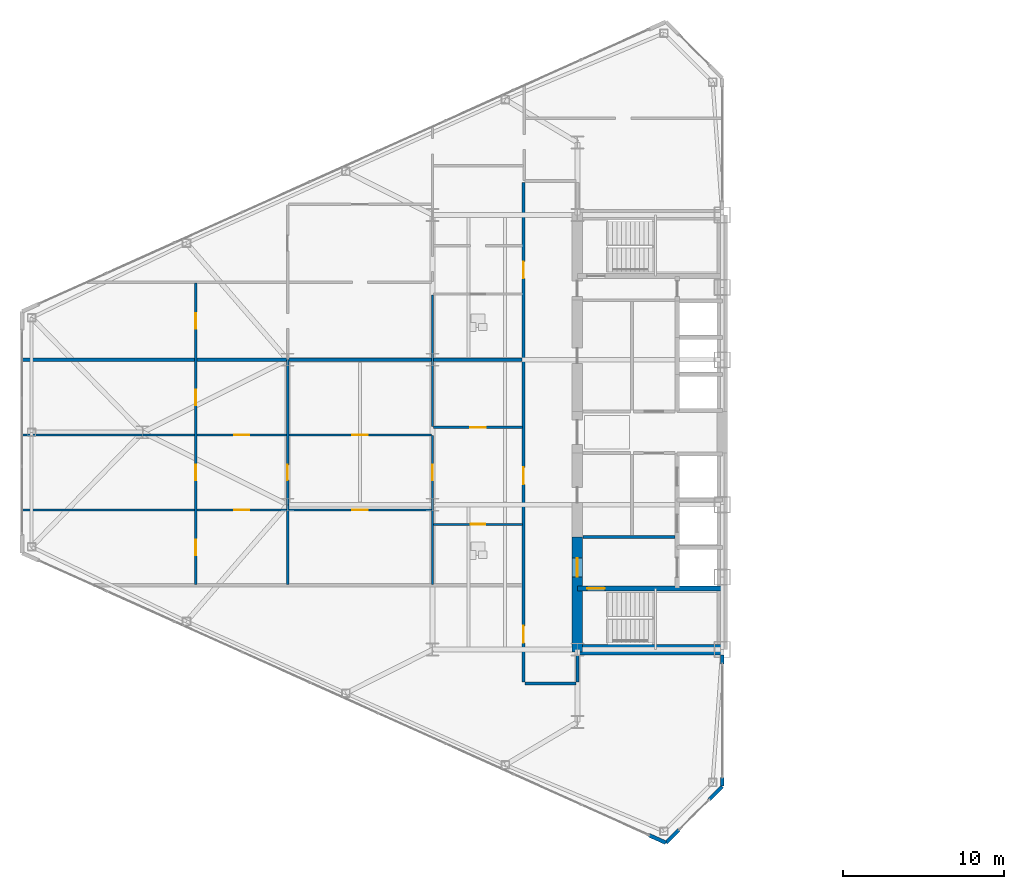
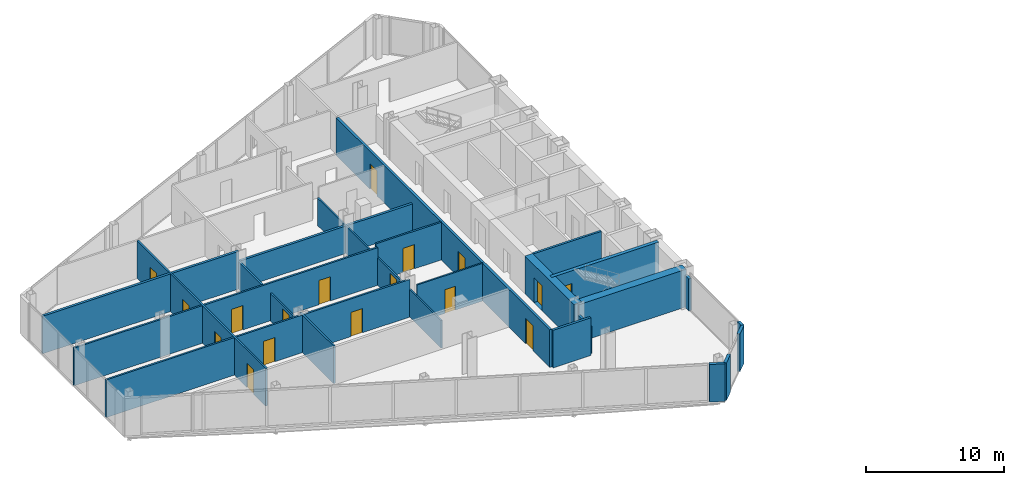
# One storey, part 19 of 27: 23 walls, 17 doors, 17 openings.
"""IFC4 building model written with IfcOpenShell, lengths in metres."""

from ifc_helpers import new_model, si_unit, direction, frame, frame_2d, origin, place, context, subcontext, project, spatial, rectangle, extrude, source, transform, mapped, material, layer, layer_set, type_object, type_shapes, element, fill, save


model = new_model("IFC4")

# Units and contexts
model_context = context("Model", 3, precision=1e-05, world=origin(), true_north=direction((0.0, 1.0)))
body_context = subcontext(model_context, "Body", "Model", "MODEL_VIEW")
ifc_project = project(units=[si_unit("LENGTHUNIT", "METRE"), si_unit("AREAUNIT", "SQUARE_METRE"), si_unit("VOLUMEUNIT", "CUBIC_METRE"), si_unit("PLANEANGLEUNIT", "RADIAN"), si_unit("MASSUNIT", "GRAM", prefix="KILO")], contexts=[model_context])

# Site, building, storey
site_placement = place(None, origin())
site = spatial("IfcSite", under=ifc_project, at=site_placement, CompositionType="ELEMENT")
building_placement = place(site_placement, origin())
building = spatial("IfcBuilding", under=site, at=building_placement, Name="Seokmaru Belvedere", CompositionType="ELEMENT")
storey_placement = place(building_placement, frame((0.0, 0.0, 83.699951171875)))
storey = spatial("IfcBuildingStorey", under=building, at=storey_placement, Name="L22", CompositionType="ELEMENT", Elevation=83.699951171875)

# Wall, openings, doors
ifc_material_1 = material(Name="Fire-Rated Gypsum Shaftwall")
ifc_layer_1 = layer(ifc_material_1, 0.14990234375)
ifc_layer_set_1 = layer_set([ifc_layer_1], Name="Fire-Rated Gypsum Shaftwall")
wall_type_1 = type_object("IfcWallType", Name="Apartment Fire-Acoustic Room Partition 150", PredefinedType="PARTITIONING", material=ifc_layer_set_1)
wall_1_placement = place(storey_placement, frame((-71.034912109375, -4.830078125, 0.0), z_axis=(0.0, 0.0, 1.0), x_axis=(1.0, 0.0, 0.0)))
wall_1 = element("IfcWall", 1, at=wall_1_placement, inside=storey, type_object=wall_type_1, Name="L22 Interior Partition 012", PredefinedType="PARTITIONING", context=body_context, shape_type="SweptSolid", body=[
    extrude(rectangle(XDim=25.48486328125, YDim=0.14990234375, at=frame_2d((12.742431640625, 0.0))), origin(), (0.0, 0.0, 1.0), 3.340087890625),
])
opening_1_placement = place(wall_1_placement, frame((20.56005859375, 0.0, 0.0)))
opening_1 = element("IfcOpeningElement", 2, at=opening_1_placement, cuts=wall_1, Name="Opening D05", PredefinedType="OPENING", context=body_context, shape_type="SweptSolid", body=[
    extrude(rectangle(XDim=0.949951171875, YDim=2.14990234375, at=frame_2d((0.47509765625, 1.074951171875))), frame((0.0, 0.0849609375, 0.0), z_axis=(0.0, -1.0, 0.0), x_axis=(1.0, 0.0, 0.0)), (0.0, 0.0, 1.0), 0.169921875),
])
opening_2_placement = place(wall_1_placement, frame((13.2099609375, 0.0, 0.0)))
opening_2 = element("IfcOpeningElement", 3, at=opening_2_placement, cuts=wall_1, Name="Opening D05", PredefinedType="OPENING", context=body_context, shape_type="SweptSolid", body=[
    extrude(rectangle(XDim=0.949951171875, YDim=2.14990234375, at=frame_2d((0.47509765625, 1.074951171875))), frame((0.0, 0.0849609375, 0.0), z_axis=(0.0, -1.0, 0.0), x_axis=(1.0, 0.0, 0.0)), (0.0, 0.0, 1.0), 0.169921875),
])
ifc_material_2 = material(Name="Engineered White Oak Timber", Category="wood")
door_type_1 = type_object("IfcDoorType", Name="Apartment Interior Fire-Rated Oak Door 950x2150", OperationType="NOTDEFINED", PredefinedType="DOOR", material=ifc_material_2)
shared_shape_1 = source(origin(), body_context, "Body", "SweptSolid", [
    extrude(rectangle(XDim=0.949951171875, YDim=2.14990234375, at=frame_2d((0.47509765625, 1.074951171875))), frame((0.0, 0.02490234375, 0.0), z_axis=(0.0, -1.0, 0.0), x_axis=(1.0, 0.0, 0.0)), (0.0, 0.0, 1.0), 0.050048828125),
])
type_shapes(door_type_1, [shared_shape_1])
door_1_placement = place(opening_1_placement, origin())
door_1 = element("IfcDoor", 4, at=door_1_placement, inside=storey, type_object=door_type_1, Name="L22 Interior Door 007", OperationType="SINGLE_SWING_RIGHT", OverallHeight=2.14990234375, OverallWidth=0.949951171875, PredefinedType="DOOR", context=body_context, shape_type="MappedRepresentation", body=[
    mapped(shared_shape_1, transform((0.0, 0.0, 0.0), scale=1.0)),
])
fill(opening_1, door_1)
door_2_placement = place(opening_2_placement, origin())
door_2 = element("IfcDoor", 5, at=door_2_placement, inside=storey, type_object=door_type_1, Name="L22 Interior Door 009", OperationType="SINGLE_SWING_LEFT", OverallHeight=2.14990234375, OverallWidth=0.949951171875, PredefinedType="DOOR", context=body_context, shape_type="MappedRepresentation", body=[
    mapped(shared_shape_1, transform((0.0, 0.0, 0.0), scale=1.0)),
])
fill(opening_2, door_2)

wall_2_placement = place(storey_placement, frame((-71.034912109375, -0.169921875, 0.0), z_axis=(0.0, 0.0, 1.0), x_axis=(1.0, 0.0, 0.0)))
wall_2 = element("IfcWall", 6, at=wall_2_placement, inside=storey, type_object=wall_type_1, Name="L22 Interior Partition 015", PredefinedType="PARTITIONING", context=body_context, shape_type="SweptSolid", body=[
    extrude(rectangle(XDim=25.48486328125, YDim=0.14990234375, at=frame_2d((12.742431640625, 0.0))), origin(), (0.0, 0.0, 1.0), 3.340087890625),
])
opening_3_placement = place(wall_2_placement, frame((20.56005859375, 0.0, 0.0)))
opening_3 = element("IfcOpeningElement", 7, at=opening_3_placement, cuts=wall_2, Name="Opening D05", PredefinedType="OPENING", context=body_context, shape_type="SweptSolid", body=[
    extrude(rectangle(XDim=0.949951171875, YDim=2.14990234375, at=frame_2d((0.47509765625, 1.074951171875))), frame((0.0, 0.0849609375, 0.0), z_axis=(0.0, -1.0, 0.0), x_axis=(1.0, 0.0, 0.0)), (0.0, 0.0, 1.0), 0.169921875),
])
opening_4_placement = place(wall_2_placement, frame((13.2099609375, 0.0, 0.0)))
opening_4 = element("IfcOpeningElement", 8, at=opening_4_placement, cuts=wall_2, Name="Opening D05", PredefinedType="OPENING", context=body_context, shape_type="SweptSolid", body=[
    extrude(rectangle(XDim=0.949951171875, YDim=2.14990234375, at=frame_2d((0.47509765625, 1.074951171875))), frame((0.0, 0.0849609375, 0.0), z_axis=(0.0, -1.0, 0.0), x_axis=(1.0, 0.0, 0.0)), (0.0, 0.0, 1.0), 0.169921875),
])
door_3_placement = place(opening_3_placement, origin())
door_3 = element("IfcDoor", 9, at=door_3_placement, inside=storey, type_object=door_type_1, Name="L22 Interior Door 008", OperationType="SINGLE_SWING_LEFT", OverallHeight=2.14990234375, OverallWidth=0.949951171875, PredefinedType="DOOR", context=body_context, shape_type="MappedRepresentation", body=[
    mapped(shared_shape_1, transform((0.0, 0.0, 0.0), scale=1.0)),
])
fill(opening_3, door_3)
door_4_placement = place(opening_4_placement, origin())
door_4 = element("IfcDoor", 10, at=door_4_placement, inside=storey, type_object=door_type_1, Name="L22 Interior Door 012", OperationType="SINGLE_SWING_LEFT", OverallHeight=2.14990234375, OverallWidth=0.949951171875, PredefinedType="DOOR", context=body_context, shape_type="MappedRepresentation", body=[
    mapped(shared_shape_1, transform((0.0, 0.0, 0.0), scale=1.0)),
])
fill(opening_4, door_4)

# Wall, opening, door
wall_3_placement = place(storey_placement, frame((-45.449951171875, 0.300048828125, 0.0), z_axis=(0.0, 0.0, 1.0), x_axis=(1.0, 0.0, 0.0)))
wall_3 = element("IfcWall", 11, at=wall_3_placement, inside=storey, type_object=wall_type_1, Name="L22 Interior Partition 017", PredefinedType="PARTITIONING", context=body_context, shape_type="SweptSolid", body=[
    extrude(rectangle(XDim=5.550048828125, YDim=0.14990234375, at=frame_2d((2.77490234375, 0.0))), origin(), (0.0, 0.0, 1.0), 3.340087890625),
])
opening_5_placement = place(wall_3_placement, frame((2.300048828125, 0.0, 0.0)))
opening_5 = element("IfcOpeningElement", 12, at=opening_5_placement, cuts=wall_3, Name="Opening D05", PredefinedType="OPENING", context=body_context, shape_type="SweptSolid", body=[
    extrude(rectangle(XDim=0.949951171875, YDim=2.14990234375, at=frame_2d((0.47509765625, 1.074951171875))), frame((0.0, 0.0849609375, 0.0), z_axis=(0.0, -1.0, 0.0), x_axis=(1.0, 0.0, 0.0)), (0.0, 0.0, 1.0), 0.169921875),
])
door_5_placement = place(opening_5_placement, origin())
door_5 = element("IfcDoor", 13, at=door_5_placement, inside=storey, type_object=door_type_1, Name="L22 Interior Door 004", OperationType="SINGLE_SWING_LEFT", OverallHeight=2.14990234375, OverallWidth=0.949951171875, PredefinedType="DOOR", context=body_context, shape_type="MappedRepresentation", body=[
    mapped(shared_shape_1, transform((0.0, 0.0, 0.0), scale=1.0)),
])
fill(opening_5, door_5)

# Wall, openings, doors
wall_4_placement = place(storey_placement, frame((-60.199951171875, -9.449951171875, 0.0), z_axis=(0.0, 0.0, 1.0), x_axis=(0.0, 1.0, 0.0)))
wall_4 = element("IfcWall", 14, at=wall_4_placement, inside=storey, type_object=wall_type_1, Name="L22 Interior Partition 036", PredefinedType="PARTITIONING", context=body_context, shape_type="SweptSolid", body=[
    extrude(rectangle(XDim=18.724853515625, YDim=0.14990234375, at=frame_2d((9.3623046875, 0.0))), origin(), (0.0, 0.0, 1.0), 3.340087890625),
])
opening_6_placement = place(wall_4_placement, frame((1.808349609375, 0.0, 0.0)))
opening_6 = element("IfcOpeningElement", 15, at=opening_6_placement, cuts=wall_4, Name="Opening D05", PredefinedType="OPENING", context=body_context, shape_type="SweptSolid", body=[
    extrude(rectangle(XDim=0.949951171875, YDim=2.14990234375, at=frame_2d((0.47509765625, 1.074951171875))), frame((0.0, 0.0849609375, 0.0), z_axis=(0.0, -1.0, 0.0), x_axis=(1.0, 0.0, 0.0)), (0.0, 0.0, 1.0), 0.169921875),
])
opening_7_placement = place(wall_4_placement, frame((6.47509765625, 0.0, 0.0)))
opening_7 = element("IfcOpeningElement", 16, at=opening_7_placement, cuts=wall_4, Name="Opening D05", PredefinedType="OPENING", context=body_context, shape_type="SweptSolid", body=[
    extrude(rectangle(XDim=0.949951171875, YDim=2.14990234375, at=frame_2d((0.47509765625, 1.074951171875))), frame((0.0, 0.0849609375, 0.0), z_axis=(0.0, -1.0, 0.0), x_axis=(1.0, 0.0, 0.0)), (0.0, 0.0, 1.0), 0.169921875),
])
opening_8_placement = place(wall_4_placement, frame((11.1416015625, 0.0, 0.0)))
opening_8 = element("IfcOpeningElement", 17, at=opening_8_placement, cuts=wall_4, Name="Opening D05", PredefinedType="OPENING", context=body_context, shape_type="SweptSolid", body=[
    extrude(rectangle(XDim=0.949951171875, YDim=2.14990234375, at=frame_2d((0.47509765625, 1.074951171875))), frame((0.0, 0.0849609375, 0.0), z_axis=(0.0, -1.0, 0.0), x_axis=(1.0, 0.0, 0.0)), (0.0, 0.0, 1.0), 0.169921875),
])
opening_9_placement = place(wall_4_placement, frame((15.887451171875, 0.0, 0.0)))
opening_9 = element("IfcOpeningElement", 18, at=opening_9_placement, cuts=wall_4, Name="Opening D05", PredefinedType="OPENING", context=body_context, shape_type="SweptSolid", body=[
    extrude(rectangle(XDim=0.949951171875, YDim=2.14990234375, at=frame_2d((0.47509765625, 1.074951171875))), frame((0.0, 0.0849609375, 0.0), z_axis=(0.0, -1.0, 0.0), x_axis=(1.0, 0.0, 0.0)), (0.0, 0.0, 1.0), 0.169921875),
])
door_6_placement = place(opening_6_placement, origin())
door_6 = element("IfcDoor", 19, at=door_6_placement, inside=storey, type_object=door_type_1, Name="L22 Interior Door 010", OperationType="SINGLE_SWING_RIGHT", OverallHeight=2.14990234375, OverallWidth=0.949951171875, PredefinedType="DOOR", context=body_context, shape_type="MappedRepresentation", body=[
    mapped(shared_shape_1, transform((0.0, 0.0, 0.0), scale=1.0)),
])
fill(opening_6, door_6)
door_7_placement = place(opening_7_placement, origin())
door_7 = element("IfcDoor", 20, at=door_7_placement, inside=storey, type_object=door_type_1, Name="L22 Interior Door 011", OperationType="SINGLE_SWING_RIGHT", OverallHeight=2.14990234375, OverallWidth=0.949951171875, PredefinedType="DOOR", context=body_context, shape_type="MappedRepresentation", body=[
    mapped(shared_shape_1, transform((0.0, 0.0, 0.0), scale=1.0)),
])
fill(opening_7, door_7)
door_8_placement = place(opening_8_placement, origin())
door_8 = element("IfcDoor", 21, at=door_8_placement, inside=storey, type_object=door_type_1, Name="L22 Interior Door 013", OperationType="SINGLE_SWING_RIGHT", OverallHeight=2.14990234375, OverallWidth=0.949951171875, PredefinedType="DOOR", context=body_context, shape_type="MappedRepresentation", body=[
    mapped(shared_shape_1, transform((0.0, 0.0, 0.0), scale=1.0)),
])
fill(opening_8, door_8)
door_9_placement = place(opening_9_placement, origin())
door_9 = element("IfcDoor", 22, at=door_9_placement, inside=storey, type_object=door_type_1, Name="L22 Interior Door 022", OperationType="SINGLE_SWING_RIGHT", OverallHeight=2.14990234375, OverallWidth=0.949951171875, PredefinedType="DOOR", context=body_context, shape_type="MappedRepresentation", body=[
    mapped(shared_shape_1, transform((0.0, 0.0, 0.0), scale=1.0)),
])
fill(opening_9, door_9)

# Wall
wall_5_placement = place(storey_placement, frame((-54.5, -9.449951171875, 0.0), z_axis=(0.0, 0.0, 1.0), x_axis=(0.0, 1.0, 0.0)))
element("IfcWall", 23, at=wall_5_placement, inside=storey, type_object=wall_type_1, Name="L22 Interior Partition 037", PredefinedType="PARTITIONING", context=body_context, shape_type="SweptSolid", body=[
    extrude(rectangle(XDim=4.929931640625, YDim=0.14990234375, at=frame_2d((2.46484375, 0.0))), origin(), (0.0, 0.0, 1.0), 3.340087890625),
])

# Wall, opening, door
wall_6_placement = place(storey_placement, frame((-54.5, -4.52001953125, 0.0), z_axis=(0.0, 0.0, 1.0), x_axis=(0.0, 1.0, 0.0)))
wall_6 = element("IfcWall", 24, at=wall_6_placement, inside=storey, type_object=wall_type_1, Name="L22 Interior Partition 037 Part 2", PredefinedType="PARTITIONING", context=body_context, shape_type="SweptSolid", body=[
    extrude(rectangle(XDim=9.0400390625, YDim=0.14990234375, at=frame_2d((4.52001953125, 0.0))), origin(), (0.0, 0.0, 1.0), 2.43994140625),
])
opening_10_placement = place(wall_6_placement, frame((1.544921875, 0.0, 0.0)))
opening_10 = element("IfcOpeningElement", 25, at=opening_10_placement, cuts=wall_6, Name="Opening D05", PredefinedType="OPENING", context=body_context, shape_type="SweptSolid", body=[
    extrude(rectangle(XDim=0.949951171875, YDim=2.14990234375, at=frame_2d((0.47509765625, 1.074951171875))), frame((0.0, 0.0849609375, 0.0), z_axis=(0.0, -1.0, 0.0), x_axis=(1.0, 0.0, 0.0)), (0.0, 0.0, 1.0), 0.169921875),
])
door_10_placement = place(opening_10_placement, origin())
door_10 = element("IfcDoor", 26, at=door_10_placement, inside=storey, type_object=door_type_1, Name="L22 Interior Door 006", OperationType="SINGLE_SWING_LEFT", OverallHeight=2.14990234375, OverallWidth=0.949951171875, PredefinedType="DOOR", context=body_context, shape_type="MappedRepresentation", body=[
    mapped(shared_shape_1, transform((0.0, 0.0, 0.0), scale=1.0)),
])
fill(opening_10, door_10)

# Walls
ifc_layer_2 = layer(ifc_material_1, 0.179931640625)
ifc_layer_set_2 = layer_set([ifc_layer_2], Name="Fire-Rated Gypsum Shaftwall")
wall_type_2 = type_object("IfcWallType", Name="Core Service Fire Partition 180", PredefinedType="PARTITIONING", material=ifc_layer_set_2)
wall_7_placement = place(storey_placement, frame((-36.14990234375, -6.5, 0.0), z_axis=(0.0, 0.0, 1.0), x_axis=(1.0, 0.0, 0.0)))
element("IfcWall", 27, at=wall_7_placement, inside=storey, type_object=wall_type_2, Name="L22 West Firefighting Lobby Partition", PredefinedType="PARTITIONING", context=body_context, shape_type="SweptSolid", body=[
    extrude(rectangle(XDim=5.699951171875, YDim=0.179931640625, at=frame_2d((2.85009765625, 0.0))), origin(), (0.0, 0.0, 1.0), 3.340087890625),
])
ifc_layer_3 = layer(ifc_material_1, 0.199951171875)
ifc_layer_set_3 = layer_set([ifc_layer_3], Name="Fire-Rated Gypsum Shaftwall")
wall_type_3 = type_object("IfcWallType", Name="Inter-Tenancy Fire Compartment Partition 200", PredefinedType="PARTITIONING", material=ifc_layer_set_3)
wall_8_placement = place(storey_placement, frame((-39.764892578125, -15.60009765625, 0.0), z_axis=(0.0, 0.0, 1.0), x_axis=(1.0, 0.0, 0.0)))
element("IfcWall", 28, at=wall_8_placement, inside=storey, type_object=wall_type_3, Name="L22 Interior Partition 004", PredefinedType="PARTITIONING", context=body_context, shape_type="SweptSolid", body=[
    extrude(rectangle(XDim=3.179931640625, YDim=0.199951171875, at=frame_2d((1.58984375, 0.0))), origin(), (0.0, 0.0, 1.0), 3.340087890625),
])
wall_9_placement = place(storey_placement, frame((-71.0048828125, 4.5, 0.0), z_axis=(0.0, 0.0, 1.0), x_axis=(1.0, 0.0, 0.0)))
element("IfcWall", 29, at=wall_9_placement, inside=storey, type_object=wall_type_3, Name="L22 Interior Partition 020", PredefinedType="PARTITIONING", context=body_context, shape_type="SweptSolid", body=[
    extrude(rectangle(XDim=16.48486328125, YDim=0.199951171875, at=frame_2d((8.242431640625, 0.0))), origin(), (0.0, 0.0, 1.0), 3.340087890625),
])
wall_10_placement = place(storey_placement, frame((-54.52001953125, 4.5, 0.0), z_axis=(0.0, 0.0, 1.0), x_axis=(1.0, 0.0, 0.0)))
element("IfcWall", 30, at=wall_10_placement, inside=storey, type_object=wall_type_3, Name="L22 Interior Partition 020 Part 2", PredefinedType="PARTITIONING", context=body_context, shape_type="SweptSolid", body=[
    extrude(rectangle(XDim=14.590087890625, YDim=0.199951171875, at=frame_2d((7.294921875, 0.0))), origin(), (0.0, 0.0, 1.0), 2.43994140625),
])

# Wall, openings, doors
wall_11_placement = place(storey_placement, frame((-39.85009765625, -15.514892578125, 0.0), z_axis=(0.0, 0.0, 1.0), x_axis=(0.0, 1.0, 0.0)))
wall_11 = element("IfcWall", 31, at=wall_11_placement, inside=storey, type_object=wall_type_3, Name="L22 Interior Partition 041", PredefinedType="PARTITIONING", context=body_context, shape_type="SweptSolid", body=[
    extrude(rectangle(XDim=31.02978515625, YDim=0.199951171875, at=frame_2d((15.514892578125, 0.0))), origin(), (0.0, 0.0, 1.0), 3.340087890625),
])
opening_11_placement = place(wall_11_placement, frame((2.43994140625, 0.0, 0.0)))
opening_11 = element("IfcOpeningElement", 32, at=opening_11_placement, cuts=wall_11, Name="Opening D03", PredefinedType="OPENING", context=body_context, shape_type="SweptSolid", body=[
    extrude(rectangle(XDim=1.050048828125, YDim=2.25, at=frame_2d((0.52490234375, 1.125))), frame((0.0, 0.10986328125, 0.0), z_axis=(0.0, -1.0, 0.0), x_axis=(1.0, 0.0, 0.0)), (0.0, 0.0, 1.0), 0.219970703125),
])
opening_12_placement = place(wall_11_placement, frame((12.280029296875, 0.0, 0.0)))
opening_12 = element("IfcOpeningElement", 33, at=opening_12_placement, cuts=wall_11, Name="Opening D03", PredefinedType="OPENING", context=body_context, shape_type="SweptSolid", body=[
    extrude(rectangle(XDim=1.050048828125, YDim=2.25, at=frame_2d((0.52490234375, 1.125))), frame((0.0, 0.10986328125, 0.0), z_axis=(0.0, -1.0, 0.0), x_axis=(1.0, 0.0, 0.0)), (0.0, 0.0, 1.0), 0.219970703125),
])
opening_13_placement = place(wall_11_placement, frame((25.0673828125, 0.0, 0.0)))
opening_13 = element("IfcOpeningElement", 34, at=opening_13_placement, cuts=wall_11, Name="Opening D03", PredefinedType="OPENING", context=body_context, shape_type="SweptSolid", body=[
    extrude(rectangle(XDim=1.050048828125, YDim=2.25, at=frame_2d((0.52490234375, 1.125))), frame((0.0, 0.10986328125, 0.0), z_axis=(0.0, -1.0, 0.0), x_axis=(1.0, 0.0, 0.0)), (0.0, 0.0, 1.0), 0.219970703125),
])
ifc_material_3 = material(Name="Fire-Rated Steel Leaf", Category="steel")
door_type_2 = type_object("IfcDoorType", Name="Apartment Entrance Fire Door 1050x2250", OperationType="NOTDEFINED", PredefinedType="DOOR", material=ifc_material_3)
shared_shape_2 = source(origin(), body_context, "Body", "SweptSolid", [
    extrude(rectangle(XDim=1.050048828125, YDim=2.25, at=frame_2d((0.52490234375, 1.125))), frame((0.0, 0.02490234375, 0.0), z_axis=(0.0, -1.0, 0.0), x_axis=(1.0, 0.0, 0.0)), (0.0, 0.0, 1.0), 0.050048828125),
])
type_shapes(door_type_2, [shared_shape_2])
door_11_placement = place(opening_11_placement, origin())
door_11 = element("IfcDoor", 35, at=door_11_placement, inside=storey, type_object=door_type_2, Name="L22 Interior Door 001", OperationType="SINGLE_SWING_RIGHT", OverallHeight=2.25, OverallWidth=1.050048828125, PredefinedType="DOOR", context=body_context, shape_type="MappedRepresentation", body=[
    mapped(shared_shape_2, transform((0.0, 0.0, 0.0), scale=1.0)),
])
fill(opening_11, door_11)
door_12_placement = place(opening_12_placement, origin())
door_12 = element("IfcDoor", 36, at=door_12_placement, inside=storey, type_object=door_type_2, Name="L22 Interior Door 002", OperationType="SINGLE_SWING_LEFT", OverallHeight=2.25, OverallWidth=1.050048828125, PredefinedType="DOOR", context=body_context, shape_type="MappedRepresentation", body=[
    mapped(shared_shape_2, transform((0.0, 0.0, 0.0), scale=1.0)),
])
fill(opening_12, door_12)
door_13_placement = place(opening_13_placement, origin())
door_13 = element("IfcDoor", 37, at=door_13_placement, inside=storey, type_object=door_type_2, Name="L22 Interior Door 014", OperationType="SINGLE_SWING_RIGHT", OverallHeight=2.25, OverallWidth=1.050048828125, PredefinedType="DOOR", context=body_context, shape_type="MappedRepresentation", body=[
    mapped(shared_shape_2, transform((0.0, 0.0, 0.0), scale=1.0)),
])
fill(opening_13, door_13)

# Wall
wall_12_placement = place(storey_placement, frame((-36.5, -15.514892578125, 0.0), z_axis=(0.0, 0.0, 1.0), x_axis=(0.0, 1.0, 0.0)))
element("IfcWall", 38, at=wall_12_placement, inside=storey, type_object=wall_type_3, Name="L22 Interior Partition 043", PredefinedType="PARTITIONING", context=body_context, shape_type="SweptSolid", body=[
    extrude(rectangle(XDim=1.684814453125, YDim=0.199951171875, at=frame_2d((0.84228515625, 0.0))), origin(), (0.0, 0.0, 1.0), 2.43994140625),
])

# Wall, opening, door
ifc_material_4 = material(Name="Concrete C50 (50 MPa)", Category="concrete")
ifc_layer_4 = layer(ifc_material_4, 0.300048828125)
ifc_layer_set_4 = layer_set([ifc_layer_4], Name="Concrete C50 (50 MPa)")
wall_type_4 = type_object("IfcWallType", Name="Internal Core Stair and Hoistway Wall 300", PredefinedType="SHEAR", material=ifc_layer_set_4)
wall_13_placement = place(storey_placement, frame((-36.5, -9.699951171875, 0.0), z_axis=(0.0, 0.0, 1.0), x_axis=(1.0, 0.0, 0.0)))
wall_13 = element("IfcWall", 39, at=wall_13_placement, inside=storey, type_object=wall_type_4, Name="L22 West Stair ST-1 Enclosure Wall", PredefinedType="SHEAR", context=body_context, shape_type="SweptSolid", body=[
    extrude(rectangle(XDim=9.0, YDim=0.300048828125, at=frame_2d((4.5, 0.0))), origin(), (0.0, 0.0, 1.0), 3.340087890625),
])
opening_14_placement = place(wall_13_placement, frame((0.60009765625, 0.0, 0.0)))
opening_14 = element("IfcOpeningElement", 40, at=opening_14_placement, cuts=wall_13, Name="Opening D01", PredefinedType="OPENING", context=body_context, shape_type="SweptSolid", body=[
    extrude(rectangle(XDim=1.10009765625, YDim=2.199951171875, at=frame_2d((0.550048828125, 1.10009765625))), frame((0.0, 0.16015625, 0.0), z_axis=(0.0, -1.0, 0.0), x_axis=(1.0, 0.0, 0.0)), (0.0, 0.0, 1.0), 0.320068359375),
])
door_type_3 = type_object("IfcDoorType", Name="Special Escape Stair Smokeproof Fire Door 1100x2200", OperationType="NOTDEFINED", PredefinedType="DOOR", material=ifc_material_3)
shared_shape_3 = source(origin(), body_context, "Body", "SweptSolid", [
    extrude(rectangle(XDim=1.10009765625, YDim=2.199951171875, at=frame_2d((0.550048828125, 1.10009765625))), frame((0.0, 0.02490234375, 0.0), z_axis=(0.0, -1.0, 0.0), x_axis=(1.0, 0.0, 0.0)), (0.0, 0.0, 1.0), 0.050048828125),
])
type_shapes(door_type_3, [shared_shape_3])
door_14_placement = place(opening_14_placement, frame((1.10009765625, 0.0, 0.0), z_axis=(0.0, 0.0, 1.0), x_axis=(-1.0, 0.0, 0.0)))
door_14 = element("IfcDoor", 41, at=door_14_placement, inside=storey, type_object=door_type_3, Name="L22 West Special Escape Stair ST-1 Door", OperationType="SINGLE_SWING_LEFT", OverallHeight=2.199951171875, OverallWidth=1.10009765625, PredefinedType="DOOR", context=body_context, shape_type="MappedRepresentation", body=[
    mapped(shared_shape_3, transform((0.0, 0.0, 0.0), scale=1.0)),
])
fill(opening_14, door_14)

# Wall
ifc_material_5 = material(Name="Concrete C60 (60 MPa)", Category="concrete")
ifc_layer_5 = layer(ifc_material_5, 0.64990234375)
ifc_layer_set_5 = layer_set([ifc_layer_5], Name="Concrete C60 (60 MPa)")
wall_type_5 = type_object("IfcWallType", Name="Mid-Low Reinforced Concrete Core Wall 650", PredefinedType="SHEAR", material=ifc_layer_set_5)
wall_14_placement = place(storey_placement, frame((-36.5, -13.5, 0.0), z_axis=(0.0, 0.0, 1.0), x_axis=(1.0, 0.0, 0.0)))
element("IfcWall", 42, at=wall_14_placement, inside=storey, type_object=wall_type_5, Name="L22 West South Core Wall", PredefinedType="SHEAR", context=body_context, shape_type="SweptSolid", body=[
    extrude(rectangle(XDim=9.0, YDim=0.64990234375, at=frame_2d((4.5, 0.0))), origin(), (0.0, 0.0, 1.0), 3.340087890625),
])

# Wall, opening, door
wall_15_placement = place(storey_placement, frame((-36.5, -13.64990234375, 0.0), z_axis=(0.0, 0.0, 1.0), x_axis=(0.0, 1.0, 0.0)))
wall_15 = element("IfcWall", 43, at=wall_15_placement, inside=storey, type_object=wall_type_5, Name="L22 West West Core Wall FF", PredefinedType="SHEAR", context=body_context, shape_type="SweptSolid", body=[
    extrude(rectangle(XDim=7.14990234375, YDim=0.64990234375, at=frame_2d((3.574951171875, 0.0))), origin(), (0.0, 0.0, 1.0), 3.340087890625),
])
opening_15_placement = place(wall_15_placement, frame((4.675048828125, 0.0, 0.0)))
opening_15 = element("IfcOpeningElement", 44, at=opening_15_placement, cuts=wall_15, Name="Opening D02", PredefinedType="OPENING", context=body_context, shape_type="SweptSolid", body=[
    extrude(rectangle(XDim=1.14990234375, YDim=2.199951171875, at=frame_2d((0.574951171875, 1.10009765625))), frame((0.0, 0.3349609375, 0.0), z_axis=(0.0, -1.0, 0.0), x_axis=(1.0, 0.0, 0.0)), (0.0, 0.0, 1.0), 0.669921875),
])
door_type_4 = type_object("IfcDoorType", Name="Lobby and Vestibule Fire Door 1150x2200", OperationType="NOTDEFINED", PredefinedType="DOOR", material=ifc_material_3)
shared_shape_4 = source(origin(), body_context, "Body", "SweptSolid", [
    extrude(rectangle(XDim=1.14990234375, YDim=2.199951171875, at=frame_2d((0.574951171875, 1.10009765625))), frame((0.0, 0.02490234375, 0.0), z_axis=(0.0, -1.0, 0.0), x_axis=(1.0, 0.0, 0.0)), (0.0, 0.0, 1.0), 0.050048828125),
])
type_shapes(door_type_4, [shared_shape_4])
door_15_placement = place(opening_15_placement, frame((1.14990234375, 0.0, 0.0), z_axis=(0.0, 0.0, 1.0), x_axis=(-1.0, 0.0, 0.0)))
door_15 = element("IfcDoor", 45, at=door_15_placement, inside=storey, type_object=door_type_4, Name="L22 West Firefighting Lobby Door", OperationType="SINGLE_SWING_LEFT", OverallHeight=2.199951171875, OverallWidth=1.14990234375, PredefinedType="DOOR", context=body_context, shape_type="MappedRepresentation", body=[
    mapped(shared_shape_4, transform((0.0, 0.0, 0.0), scale=1.0)),
])
fill(opening_15, door_15)

ifc_layer_6 = layer(ifc_material_1, 0.1298828125)
ifc_layer_set_6 = layer_set([ifc_layer_6], Name="Fire-Rated Gypsum Shaftwall")
wall_type_6 = type_object("IfcWallType", Name="Moisture-Resistant Fire-Rated Bathroom Partition 130", PredefinedType="PARTITIONING", material=ifc_layer_set_6)
wall_16_placement = place(storey_placement, frame((-45.449951171875, -5.719970703125, 0.0), z_axis=(0.0, 0.0, 1.0), x_axis=(1.0, 0.0, 0.0)))
wall_16 = element("IfcWall", 46, at=wall_16_placement, inside=storey, type_object=wall_type_6, Name="L22 Interior Partition 011", PredefinedType="PARTITIONING", context=body_context, shape_type="SweptSolid", body=[
    extrude(rectangle(XDim=5.550048828125, YDim=0.1298828125, at=frame_2d((2.77490234375, 0.0))), origin(), (0.0, 0.0, 1.0), 3.340087890625),
])
opening_16_placement = place(wall_16_placement, frame((2.3349609375, 0.0, 0.0)))
opening_16 = element("IfcOpeningElement", 47, at=opening_16_placement, cuts=wall_16, Name="Opening D06", PredefinedType="OPENING", context=body_context, shape_type="SweptSolid", body=[
    extrude(rectangle(XDim=0.8798828125, YDim=2.10009765625, at=frame_2d((0.43994140625, 1.050048828125))), frame((0.0, 0.074951171875, 0.0), z_axis=(0.0, -1.0, 0.0), x_axis=(1.0, 0.0, 0.0)), (0.0, 0.0, 1.0), 0.14990234375),
])
door_type_5 = type_object("IfcDoorType", Name="Bathroom and Restroom Fire-Rated Door 880x2100", OperationType="NOTDEFINED", PredefinedType="DOOR", material=ifc_material_2)
shared_shape_5 = source(origin(), body_context, "Body", "SweptSolid", [
    extrude(rectangle(XDim=0.8798828125, YDim=2.10009765625, at=frame_2d((0.43994140625, 1.050048828125))), frame((0.0, 0.02490234375, 0.0), z_axis=(0.0, -1.0, 0.0), x_axis=(1.0, 0.0, 0.0)), (0.0, 0.0, 1.0), 0.050048828125),
])
type_shapes(door_type_5, [shared_shape_5])
door_16_placement = place(opening_16_placement, origin())
door_16 = element("IfcDoor", 48, at=door_16_placement, inside=storey, type_object=door_type_5, Name="L22 Interior Door 003", OperationType="SINGLE_SWING_LEFT", OverallHeight=2.10009765625, OverallWidth=0.8798828125, PredefinedType="DOOR", context=body_context, shape_type="MappedRepresentation", body=[
    mapped(shared_shape_5, transform((0.0, 0.0, 0.0), scale=1.0)),
])
fill(opening_16, door_16)

wall_17_placement = place(storey_placement, frame((-45.5, -9.449951171875, 0.0), z_axis=(0.0, 0.0, 1.0), x_axis=(0.0, 1.0, 0.0)))
wall_17 = element("IfcWall", 49, at=wall_17_placement, inside=storey, type_object=wall_type_6, Name="L22 Interior Partition 038", PredefinedType="PARTITIONING", context=body_context, shape_type="SweptSolid", body=[
    extrude(rectangle(XDim=9.23291015625, YDim=0.1298828125, at=frame_2d((4.616455078125, 0.0))), origin(), (0.0, 0.0, 1.0), 2.43994140625),
])
opening_17_placement = place(wall_17_placement, frame((6.47509765625, 0.0, 0.0)))
opening_17 = element("IfcOpeningElement", 50, at=opening_17_placement, cuts=wall_17, Name="Opening D05", PredefinedType="OPENING", context=body_context, shape_type="SweptSolid", body=[
    extrude(rectangle(XDim=0.949951171875, YDim=2.14990234375, at=frame_2d((0.47509765625, 1.074951171875))), frame((0.0, 0.074951171875, 0.0), z_axis=(0.0, -1.0, 0.0), x_axis=(1.0, 0.0, 0.0)), (0.0, 0.0, 1.0), 0.14990234375),
])
door_17_placement = place(opening_17_placement, origin())
door_17 = element("IfcDoor", 51, at=door_17_placement, inside=storey, type_object=door_type_1, Name="L22 Interior Door 005", OperationType="SINGLE_SWING_RIGHT", OverallHeight=2.14990234375, OverallWidth=0.949951171875, PredefinedType="DOOR", context=body_context, shape_type="MappedRepresentation", body=[
    mapped(shared_shape_1, transform((0.0, 0.0, 0.0), scale=1.0)),
])
fill(opening_17, door_17)

# Walls
wall_18_placement = place(storey_placement, frame((-45.5, 0.35205078125, 0.0), z_axis=(0.0, 0.0, 1.0), x_axis=(0.0, 1.0, 0.0)))
element("IfcWall", 52, at=wall_18_placement, inside=storey, type_object=wall_type_6, Name="L22 Interior Partition 039", PredefinedType="PARTITIONING", context=body_context, shape_type="SweptSolid", body=[
    extrude(rectangle(XDim=8.176025390625, YDim=0.1298828125, at=frame_2d((4.087890625, 0.0))), origin(), (0.0, 0.0, 1.0), 2.43994140625),
])
ifc_material_6 = material(Name="Anodised Bronze Aluminium", Category="aluminium")
ifc_layer_7 = layer(ifc_material_6, 0.239990234375)
ifc_layer_set_7 = layer_set([ifc_layer_7], Name="Anodised Bronze Aluminium")
wall_type_7 = type_object("IfcWallType", Name="Tower Corner Spandrel Closure Wall 240", PredefinedType="SOLIDWALL", material=ifc_layer_set_7)
wall_19_placement = place(storey_placement, frame((-27.5, -21.97998046875, 0.0), z_axis=(0.0, 0.0, 1.0), x_axis=(0.0, 1.0, 0.0)))
element("IfcWall", 53, at=wall_19_placement, inside=storey, type_object=wall_type_7, Name="L22 W Spine Closure Pier 1A", PredefinedType="SOLIDWALL", context=body_context, shape_type="SweptSolid", body=[
    extrude(rectangle(XDim=0.550048828125, YDim=0.239990234375, at=frame_2d((0.27490234375, 0.0))), origin(), (0.0, 0.0, 1.0), 3.340087890625),
])
wall_20_placement = place(storey_placement, frame((-27.5, -14.3798828125, 0.0), z_axis=(0.0, 0.0, 1.0), x_axis=(0.0, 1.0, 0.0)))
element("IfcWall", 54, at=wall_20_placement, inside=storey, type_object=wall_type_7, Name="L22 W Spine Closure Pier 1B", PredefinedType="SOLIDWALL", context=body_context, shape_type="SweptSolid", body=[
    extrude(rectangle(XDim=0.5498046875, YDim=0.239990234375, at=frame_2d((0.27490234375, 0.0))), origin(), (0.0, 0.0, 1.0), 2.840087890625),
])
wall_21_placement = place(storey_placement, frame((-32.048583984375, -25.028076171875, 0.0), z_axis=(0.0, 0.0, 1.0), x_axis=(0.911929519623, -0.410346866979, 0.0)))
element("IfcWall", 55, at=wall_21_placement, inside=storey, type_object=wall_type_7, Name="L22 W Corner Closure Pier 5B", PredefinedType="SOLIDWALL", context=body_context, shape_type="SweptSolid", body=[
    extrude(rectangle(XDim=1.139892578125, YDim=0.239990234375, at=frame_2d((0.56982421875, 0.0))), origin(), (0.0, 0.0, 1.0), 3.340087890625),
])
for number, where, z_axis, x_axis, name in (
    (56, (-30.992919921875, -25.492919921875, 0.0), (0.0, 0.0, 1.0), (0.707106781187, 0.707106781187, 0.0), "L22 W Corner Closure Pier 6A"),
    (57, (-28.313232421875, -22.813232421875, 0.0), (0.0, 0.0, 1.0), (0.707106781187, 0.707106781187, 0.0), "L22 W Corner Closure Pier 6B"),
):
    element("IfcWall", number, at=place(storey_placement, frame(where, z_axis=z_axis, x_axis=x_axis)), inside=storey, type_object=wall_type_7, Name=name, PredefinedType="SOLIDWALL", context=body_context, shape_type="SweptSolid", body=[
        extrude(rectangle(XDim=1.14013671875, YDim=0.239990234375, at=frame_2d((0.570068359375, 0.0))), origin(), (0.0, 0.0, 1.0), 3.340087890625),
    ])

save(model, "model.ifc")
